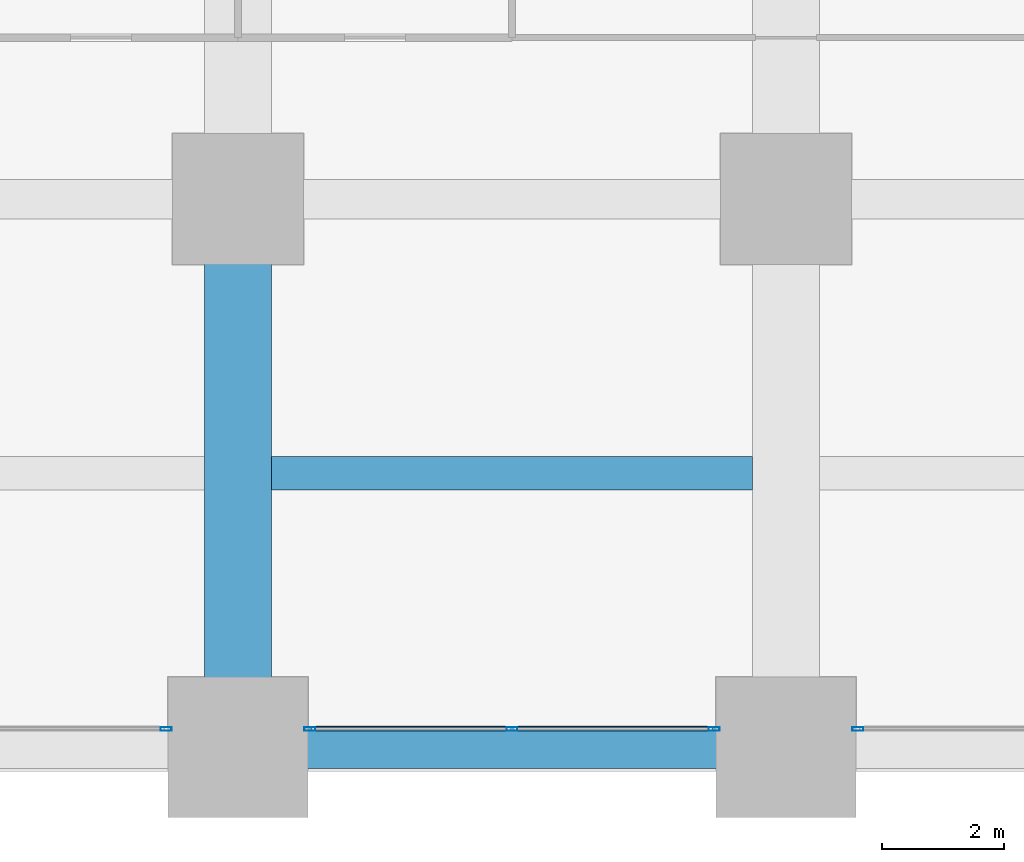
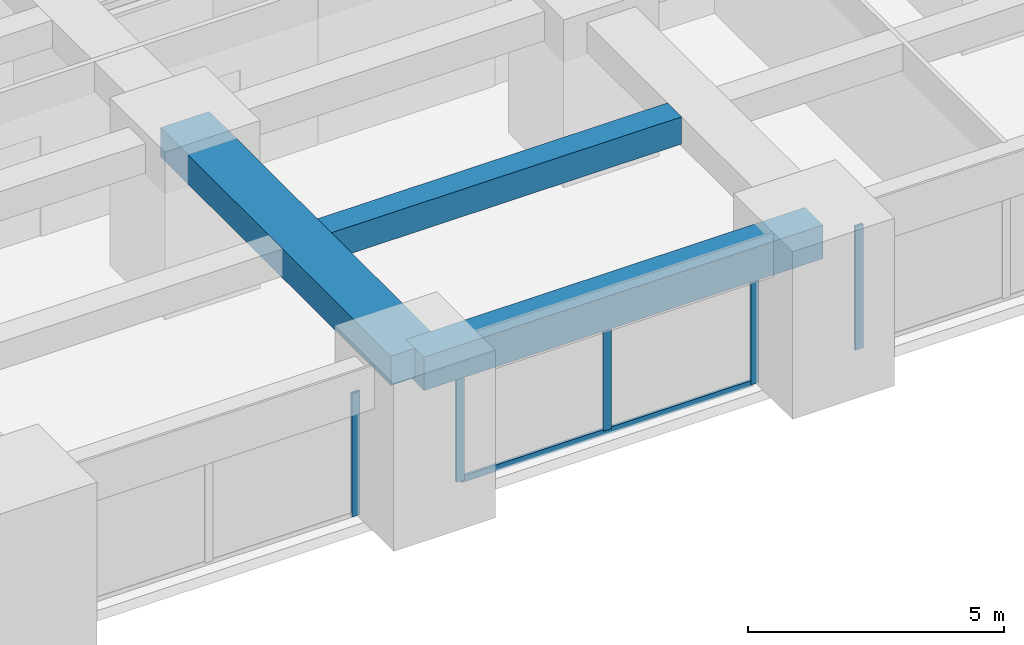
# One storey, part 6 of 44: 6 members, 3 beams, 3 elements without a shape of their own.
"""IFC4 building model written with IfcOpenShell, lengths in metres."""

from ifc_helpers import new_model, si_unit, direction, frame, origin, origin_2d, place, context, subcontext, project, spatial, rectangle, hollow_rectangle, extrude, material, material_profile, profile_set, type_object, element, aggregate, save


model = new_model("IFC4")

# Units and contexts
model_context = context("Model", 3, precision=1e-05, world=origin(), true_north=direction((0.0, 1.0)))
body_context = subcontext(model_context, "Body", "Model", "MODEL_VIEW")
ifc_project = project(units=[si_unit("LENGTHUNIT", "METRE"), si_unit("AREAUNIT", "SQUARE_METRE"), si_unit("VOLUMEUNIT", "CUBIC_METRE"), si_unit("PLANEANGLEUNIT", "RADIAN"), si_unit("MASSUNIT", "GRAM", prefix="KILO")], contexts=[model_context])

# Site, building, storey
site_placement = place(None, origin())
site = spatial("IfcSite", under=ifc_project, at=site_placement, CompositionType="ELEMENT")
building_placement = place(site_placement, origin())
building = spatial("IfcBuilding", under=site, at=building_placement, Name="Zorevar Civic Tower", CompositionType="ELEMENT")
storey_placement = place(building_placement, frame((0.0, 0.0, 59.800048828125)))
storey = spatial("IfcBuildingStorey", under=building, at=storey_placement, Name="L14", CompositionType="ELEMENT", Elevation=59.800048828125)

# Beams
ifc_material_1 = material(Name="Concrete C50/60", Category="concrete")
ifc_material_profile_1 = material_profile(ifc_material_1, rectangle(XDim=1.10009765625, YDim=0.699951171875, at=origin_2d()), Name="RC 1100x700")
ifc_profile_set_1 = profile_set([ifc_material_profile_1], Name="Concrete C50/60")
beam_type_1 = type_object("IfcBeamType", Name="Beam RC 1100x700", PredefinedType="BEAM", material=ifc_profile_set_1)
beam_1_placement = place(storey_placement, frame((18.0, 0.0, 3.39990234375), z_axis=(0.0, 1.0, 0.0), x_axis=(-1.0, 0.0, 0.0)))
element("IfcBeam", 1, at=beam_1_placement, inside=storey, type_object=beam_type_1, Name="Girder L15", PredefinedType="BEAM", context=body_context, shape_type="SweptSolid", body=[
    extrude(rectangle(XDim=1.10009765625, YDim=0.699951171875, at=origin_2d()), origin(), (0.0, 0.0, 1.0), 9.0),
])
ifc_material_2 = material(Name="Concrete C50/60", Category="concrete")
ifc_material_profile_2 = material_profile(ifc_material_2, rectangle(XDim=0.550048828125, YDim=0.64990234375, at=origin_2d()), Name="RC 550x650")
ifc_profile_set_2 = profile_set([ifc_material_profile_2], Name="Concrete C50/60")
beam_type_2 = type_object("IfcBeamType", Name="Beam RC 550x650", PredefinedType="BEAM", material=ifc_profile_set_2)
beam_2_placement = place(storey_placement, frame((18.550048828125, 4.5, 3.425048828125), z_axis=(1.0, 0.0, 0.0), x_axis=(0.0, 1.0, 0.0)))
element("IfcBeam", 2, at=beam_2_placement, inside=storey, type_object=beam_type_2, Name="Secondary beam L15", PredefinedType="BEAM", context=body_context, shape_type="SweptSolid", body=[
    extrude(rectangle(XDim=0.550048828125, YDim=0.64990234375, at=origin_2d()), origin(), (0.0, 0.0, 1.0), 7.89990234375),
])

# Curtain wall, member
ifc_material_3 = material(Name="Dark grey solar-control glass in black aluminium frame", Category="aluminium")
curtain_wall_type = type_object("IfcCurtainWallType", Name="Curtain wall CW2 low zone", PredefinedType="NOTDEFINED", material=ifc_material_3)
curtain_wall_1_placement = place(storey_placement, origin())
curtain_wall_1 = element("IfcCurtainWall", 3, at=curtain_wall_1_placement, inside=storey, type_object=curtain_wall_type, Name="CW2 L14", PredefinedType="NOTDEFINED")
ifc_material_4 = material(Name="Aluminium, black anodised", Category="aluminium")
ifc_material_profile_3 = material_profile(ifc_material_4, hollow_rectangle(XDim=0.06005859375, YDim=0.179931640625, WallThickness=0.00390625, at=origin_2d()), Name="AL 180x60x4")
ifc_profile_set_3 = profile_set([ifc_material_profile_3], Name="Aluminium, black anodised")
member_type_1 = type_object("IfcMemberType", Name="CW2 mullion AL 180x60x4", PredefinedType="MULLION", material=ifc_profile_set_3)
member_1_placement = place(storey_placement, frame((16.820068359375, 0.300048828125, 0.0), z_axis=(0.0, 0.0, 1.0), x_axis=(0.0, 1.0, 0.0)))
member_1 = element("IfcMember", 4, at=member_1_placement, type_object=member_type_1, Name="CW2 mullion 3", PredefinedType="MULLION", context=body_context, shape_type="SweptSolid", body=[
    extrude(hollow_rectangle(XDim=0.06005859375, YDim=0.179931640625, WallThickness=0.00390625, at=origin_2d()), origin(), (0.0, 0.0, 1.0), 2.949951171875),
])
aggregate(curtain_wall_1, [member_1])

# Curtain wall, members
curtain_wall_2_placement = place(storey_placement, origin())
curtain_wall_2 = element("IfcCurtainWall", 5, at=curtain_wall_2_placement, inside=storey, type_object=curtain_wall_type, Name="CW2 L14", PredefinedType="NOTDEFINED")
member_2_placement = place(storey_placement, frame((19.179931640625, 0.300048828125, 0.0), z_axis=(0.0, 0.0, 1.0), x_axis=(0.0, 1.0, 0.0)))
member_2 = element("IfcMember", 6, at=member_2_placement, type_object=member_type_1, Name="CW2 mullion 1", PredefinedType="MULLION", context=body_context, shape_type="SweptSolid", body=[
    extrude(hollow_rectangle(XDim=0.06005859375, YDim=0.179931640625, WallThickness=0.00390625, at=origin_2d()), origin(), (0.0, 0.0, 1.0), 2.949951171875),
])
member_3_placement = place(storey_placement, frame((22.5, 0.300048828125, 0.06005859375), z_axis=(0.0, 0.0, 1.0), x_axis=(0.0, 1.0, 0.0)))
member_3 = element("IfcMember", 7, at=member_3_placement, type_object=member_type_1, Name="CW2 mullion 2", PredefinedType="MULLION", context=body_context, shape_type="SweptSolid", body=[
    extrude(hollow_rectangle(XDim=0.06005859375, YDim=0.179931640625, WallThickness=0.00390625, at=origin_2d()), origin(), (0.0, 0.0, 1.0), 2.889892578125),
])
member_4_placement = place(storey_placement, frame((25.820068359375, 0.300048828125, 0.0), z_axis=(0.0, 0.0, 1.0), x_axis=(0.0, 1.0, 0.0)))
member_4 = element("IfcMember", 8, at=member_4_placement, type_object=member_type_1, Name="CW2 mullion 3", PredefinedType="MULLION", context=body_context, shape_type="SweptSolid", body=[
    extrude(hollow_rectangle(XDim=0.06005859375, YDim=0.179931640625, WallThickness=0.00390625, at=origin_2d()), origin(), (0.0, 0.0, 1.0), 2.949951171875),
])

# Curtain wall, member
curtain_wall_3_placement = place(storey_placement, origin())
curtain_wall_3 = element("IfcCurtainWall", 9, at=curtain_wall_3_placement, inside=storey, type_object=curtain_wall_type, Name="CW2 L14", PredefinedType="NOTDEFINED")
member_5_placement = place(storey_placement, frame((28.179931640625, 0.300048828125, 0.0), z_axis=(0.0, 0.0, 1.0), x_axis=(0.0, 1.0, 0.0)))
member_5 = element("IfcMember", 10, at=member_5_placement, type_object=member_type_1, Name="CW2 mullion 1", PredefinedType="MULLION", context=body_context, shape_type="SweptSolid", body=[
    extrude(hollow_rectangle(XDim=0.06005859375, YDim=0.179931640625, WallThickness=0.00390625, at=origin_2d()), origin(), (0.0, 0.0, 1.0), 2.949951171875),
])
aggregate(curtain_wall_3, [member_5])

# Member
ifc_material_5 = material(Name="Aluminium, black anodised", Category="aluminium")
ifc_material_profile_4 = material_profile(ifc_material_5, hollow_rectangle(XDim=0.06005859375, YDim=0.14990234375, WallThickness=0.00390625, at=origin_2d()), Name="AL 150x60x4")
ifc_profile_set_4 = profile_set([ifc_material_profile_4], Name="Aluminium, black anodised")
member_type_2 = type_object("IfcMemberType", Name="CW2 transom AL 150x60x4", PredefinedType="USERDEFINED", material=ifc_profile_set_4)
member_6_placement = place(storey_placement, frame((19.2099609375, 0.300048828125, 0.030029296875), z_axis=(1.0, 0.0, 0.0), x_axis=(0.0, 1.0, 0.0)))
member_6 = element("IfcMember", 11, at=member_6_placement, type_object=member_type_2, Name="CW2 sill transom", ObjectType="TRANSOM", PredefinedType="USERDEFINED", context=body_context, shape_type="SweptSolid", body=[
    extrude(hollow_rectangle(XDim=0.06005859375, YDim=0.14990234375, WallThickness=0.00390625, at=origin_2d()), origin(), (0.0, 0.0, 1.0), 6.580078125),
])

aggregate(curtain_wall_2, [member_2, member_3, member_4, member_6])

# Beam
ifc_material_6 = material(Name="Concrete C50/60", Category="concrete")
ifc_material_profile_5 = material_profile(ifc_material_6, rectangle(XDim=0.699951171875, YDim=0.800048828125, at=origin_2d()), Name="RC 700x800")
ifc_profile_set_5 = profile_set([ifc_material_profile_5], Name="Concrete C50/60")
beam_type_3 = type_object("IfcBeamType", Name="Edge beam RC 700x800", PredefinedType="SPANDREL", material=ifc_profile_set_5)
beam_3_placement = place(storey_placement, frame((18.0, 0.0, 3.349853515625), z_axis=(1.0, 0.0, 0.0), x_axis=(0.0, 1.0, 0.0)))
element("IfcBeam", 12, at=beam_3_placement, inside=storey, type_object=beam_type_3, Name="Edge beam L15", PredefinedType="SPANDREL", context=body_context, shape_type="SweptSolid", body=[
    extrude(rectangle(XDim=0.699951171875, YDim=0.800048828125, at=origin_2d()), origin(), (0.0, 0.0, 1.0), 9.0),
])

save(model, "model.ifc")
